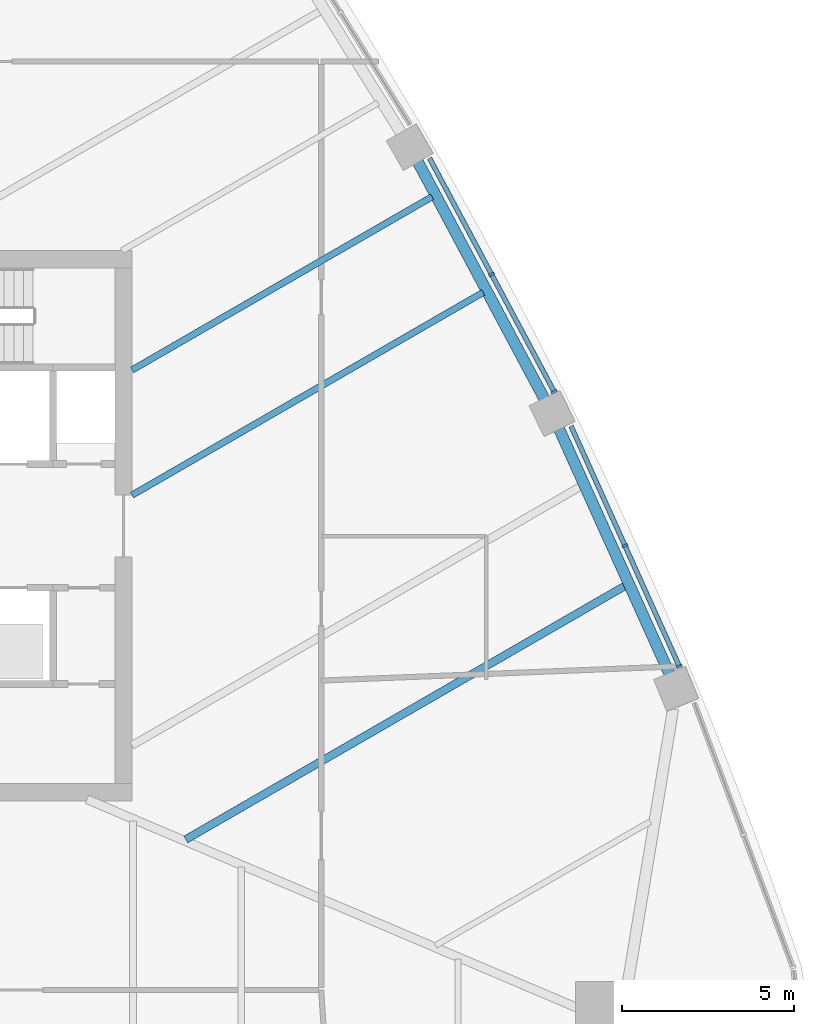
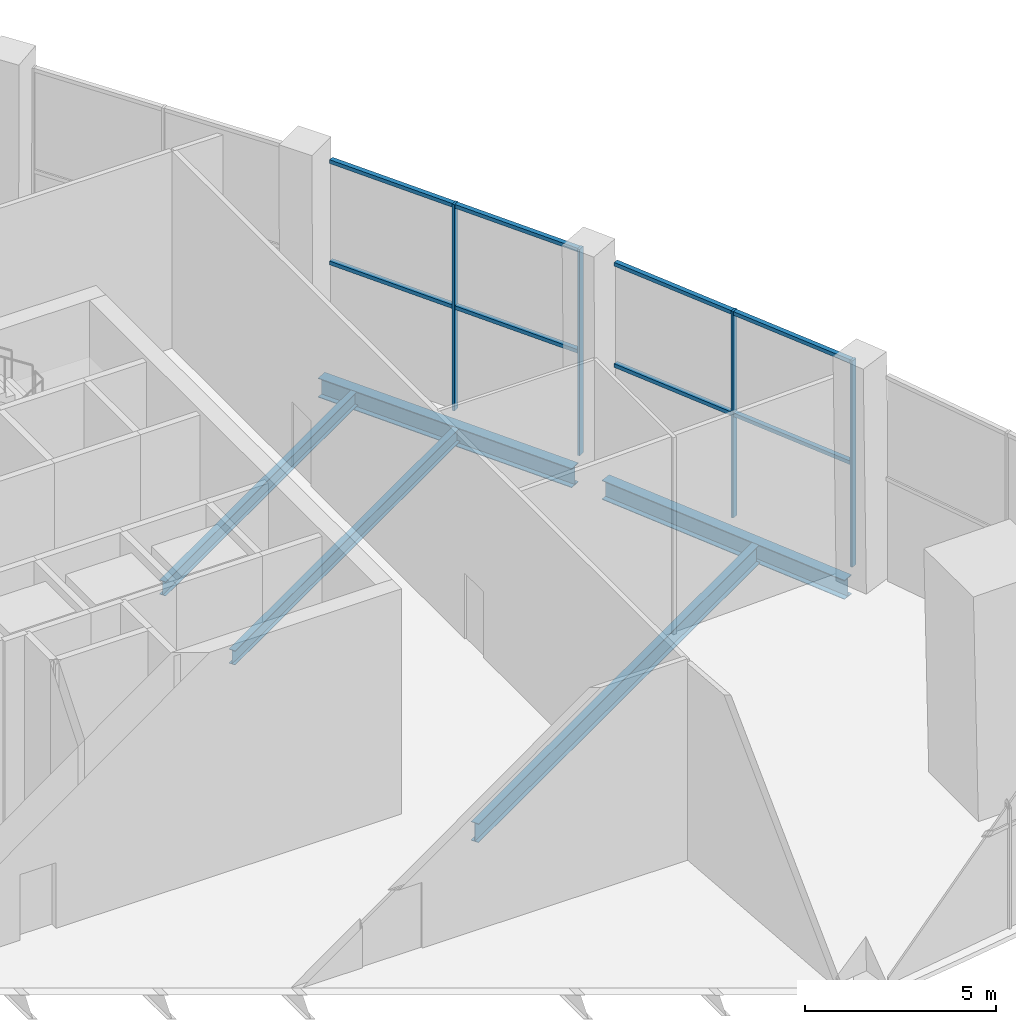
# One storey, part 5 of 15: 12 members, 5 beams, 2 elements without a shape of their own.
"""IFC4 building model written with IfcOpenShell, lengths in metres."""

import ifcopenshell
import ifcopenshell.guid

model = None  # the IFC model being written
_history = None  # IfcOwnerHistory: only IFC2X3 demands one
_inside = {}  # id of a spatial element -> (the spatial element, [elements in it])
_under = {}  # id of a project, library or spatial element -> (it, [spatial elements below it])
_declared = {}  # id of a project -> (the project, [libraries it declares])
_typed = {}  # id of a type object -> (the type object, [elements of that type])
_made_of = {}  # id of a material, layer set ... -> (it, [elements and type objects made of it])


def new_model(schema):
    """Start an empty IFC model of exactly this schema.

    Asked for "IFC4X3", IfcOpenShell would pick the latest addendum, in which some entities
    have other attributes; the version numbers below select the first issue.
    IFC2X3 requires an IfcOwnerHistory on every rooted entity: one is made here for all.
    """
    global model, _history
    if schema == "IFC4X3":
        model = ifcopenshell.file(schema_version=(4, 3, 0, 0))
    else:
        model = ifcopenshell.file(schema=schema)
    _inside.clear()
    _under.clear()
    _declared.clear()
    _typed.clear()
    _made_of.clear()
    _history = None
    if model.schema == "IFC2X3":
        org = make("IfcOrganization", Name="unknown")
        user = make(
            "IfcPersonAndOrganization",
            ThePerson=make("IfcPerson", FamilyName="unknown"),
            TheOrganization=org,
        )
        app = make(
            "IfcApplication",
            ApplicationDeveloper=org,
            Version="unknown",
            ApplicationFullName="unknown",
            ApplicationIdentifier="unknown",
        )
        _history = make(
            "IfcOwnerHistory",
            OwningUser=user,
            OwningApplication=app,
            ChangeAction="ADDED",
            CreationDate=0,
        )
    return model


def make(cls, **values):
    """One entity of the class cls with the attributes given. An attribute that is None is left unset."""
    return model.create_entity(
        cls, **{name: value for name, value in values.items() if value is not None}
    )


def rooted(cls, **values):
    """An entity with a GlobalId (a new one), such as an element, a storey or a relation."""
    return make(cls, GlobalId=ifcopenshell.guid.new(), OwnerHistory=_history, **values)


def si_unit(unit_type, name, prefix=None):
    """IfcSIUnit, for example si_unit("LENGTHUNIT", "METRE", prefix="MILLI")."""
    return make("IfcSIUnit", UnitType=unit_type, Prefix=prefix, Name=name)


def assignment(units):
    """IfcUnitAssignment: the units of a project."""
    return None if units is None else make("IfcUnitAssignment", Units=units)


def point(xyz):
    """IfcCartesianPoint."""
    return None if xyz is None else make("IfcCartesianPoint", Coordinates=xyz)


def direction(xyz):
    """IfcDirection."""
    return None if xyz is None else make("IfcDirection", DirectionRatios=xyz)


def frame(location, z_axis=None, x_axis=None):
    """IfcAxis2Placement3D, a coordinate frame: its origin and axes. An axis left out is left unset."""
    return make(
        "IfcAxis2Placement3D",
        Location=point(location),
        Axis=direction(z_axis),
        RefDirection=direction(x_axis),
    )


def frame_2d(location, x_axis=None):
    """IfcAxis2Placement2D, a coordinate frame in the plane: its origin and x axis."""
    return make(
        "IfcAxis2Placement2D", Location=point(location), RefDirection=direction(x_axis)
    )


def origin():
    """The frame at (0, 0, 0) with its axes left unset."""
    return frame((0.0, 0.0, 0.0))


def origin_2d():
    """The frame at (0, 0) in the plane with its x axis left unset."""
    return frame_2d((0.0, 0.0))


def place(relative_to, where):
    """IfcLocalPlacement: puts the frame where relative to a parent placement (None: the world)."""
    return make(
        "IfcLocalPlacement", PlacementRelTo=relative_to, RelativePlacement=where
    )


def context(
    kind, dimensions, precision=None, world=None, true_north=None, identifier=None
):
    """IfcGeometricRepresentationContext, for example the 3D "Model" context."""
    return make(
        "IfcGeometricRepresentationContext",
        ContextIdentifier=identifier,
        ContextType=kind,
        CoordinateSpaceDimension=dimensions,
        Precision=precision,
        WorldCoordinateSystem=world,
        TrueNorth=true_north,
    )


def subcontext(parent, identifier, kind, view, scale=None):
    """IfcGeometricRepresentationSubContext, for example "Body" below "Model"."""
    return make(
        "IfcGeometricRepresentationSubContext",
        ContextIdentifier=identifier,
        ContextType=kind,
        ParentContext=parent,
        TargetScale=scale,
        TargetView=view,
    )


def project(units=None, contexts=None):
    """IfcProject with its units and contexts."""
    return rooted(
        "IfcProject",
        Name="project",
        RepresentationContexts=contexts,
        UnitsInContext=assignment(units),
    )


def spatial(cls, under=None, at=None, **own):
    """A site, building, storey or space (cls), placed at a placement, below another one or the project."""
    s = rooted(cls, ObjectPlacement=at, **own)
    if under is not None:
        _under.setdefault(under.id(), (under, []))[1].append(s)
    return s


def profile(cls, at=None, kind="AREA", **sizes):
    """A parametric profile (cls). Its sizes go by their IFC names, for example OverallWidth=200.0."""
    return make(cls, ProfileType=kind, Position=at, **sizes)


def rectangle(**sizes):
    """IfcRectangleProfileDef."""
    return profile("IfcRectangleProfileDef", **sizes)


def i_section(**sizes):
    """IfcIShapeProfileDef."""
    return profile("IfcIShapeProfileDef", **sizes)


def extrude(swept, where, along, depth):
    """IfcExtrudedAreaSolid: the profile swept, set in the frame where, extruded along a direction by depth."""
    return make(
        "IfcExtrudedAreaSolid",
        SweptArea=swept,
        Position=where,
        ExtrudedDirection=direction(along),
        Depth=depth,
    )


def shape(context_of_items, identifier, shape_type, items):
    """IfcShapeRepresentation: the items that make up one representation, for example the "Body"."""
    return make(
        "IfcShapeRepresentation",
        ContextOfItems=context_of_items,
        RepresentationIdentifier=identifier,
        RepresentationType=shape_type,
        Items=items,
    )


def material(Name=None, Category=None):
    """IfcMaterial."""
    return make("IfcMaterial", Name=Name, Category=Category)


def layer(
    of_material, thickness, ventilated=None, Name=None, Category=None, Priority=None
):
    """IfcMaterialLayer: one layer of a wall or slab, of a material (None: an air gap)."""
    return make(
        "IfcMaterialLayer",
        Material=of_material,
        LayerThickness=thickness,
        IsVentilated=ventilated,
        Name=Name,
        Category=Category,
        Priority=Priority,
    )


def layer_set(layers, Name=None):
    """IfcMaterialLayerSet."""
    return make("IfcMaterialLayerSet", MaterialLayers=layers, LayerSetName=Name)


def material_profile(
    of_material, cross_section, Name=None, Category=None, Priority=None
):
    """IfcMaterialProfile: a cross section and its material."""
    return make(
        "IfcMaterialProfile",
        Name=Name,
        Material=of_material,
        Profile=cross_section,
        Priority=Priority,
        Category=Category,
    )


def profile_set(profiles, Name=None, composite=None):
    """IfcMaterialProfileSet."""
    return make(
        "IfcMaterialProfileSet",
        Name=Name,
        MaterialProfiles=profiles,
        CompositeProfile=composite,
    )


def made_of(thing, what):
    """Note that an element or type object is made of a material, layer set ...; save() writes the relation."""
    if what is not None:
        _made_of.setdefault(what.id(), (what, []))[1].append(thing)
    return thing


def type_object(cls, material=None, **own):
    """A type object (cls), such as IfcWallType, which elements share."""
    return made_of(rooted(cls, **own), material)


def element(
    cls,
    number,
    at=None,
    inside=None,
    cuts=None,
    type_object=None,
    material=None,
    context=None,
    identifier="Body",
    shape_type=None,
    held_by="IfcProductDefinitionShape",
    body=None,
    shapes=None,
    **own,
):
    """One element of the class cls, such as IfcWall. Its Tag is "e" and its number.

    at: its placement. inside: the storey or other place that contains it. cuts: it is an
    opening in that element (IfcRelVoidsElement). A single representation is given by context,
    identifier, shape_type and body (its items); several are given by shapes. held_by: the class
    of the entity that holds the representations. save() writes the other relations.
    """
    e = rooted(cls, Tag="e%d" % number, ObjectPlacement=at, **own)
    if body is not None:
        shapes = [shape(context, identifier, shape_type, body)]
    if shapes is not None:
        e.Representation = make(held_by, Representations=shapes)
    if inside is not None:
        _inside.setdefault(inside.id(), (inside, []))[1].append(e)
    if cuts is not None:
        rooted(
            "IfcRelVoidsElement", RelatingBuildingElement=cuts, RelatedOpeningElement=e
        )
    if type_object is not None:
        _typed.setdefault(type_object.id(), (type_object, []))[1].append(e)
    return made_of(e, material)


def aggregate(whole, parts):
    """IfcRelAggregates: a whole, such as a stair, and the parts it consists of."""
    return rooted("IfcRelAggregates", RelatingObject=whole, RelatedObjects=parts)


def save(model, path):
    """Write the relations noted so far, then the file.

    IfcRelAggregates (storeys below a building ...), IfcRelContainedInSpatialStructure (elements
    in a storey), IfcRelDefinesByType, IfcRelAssociatesMaterial and IfcRelDeclares: one each for
    every whole, place, type object, material and project.
    """
    for whole, parts in _under.values():
        aggregate(whole, parts)
    for where, things in _inside.values():
        rooted(
            "IfcRelContainedInSpatialStructure",
            RelatedElements=things,
            RelatingStructure=where,
        )
    for kind, things in _typed.values():
        rooted("IfcRelDefinesByType", RelatedObjects=things, RelatingType=kind)
    for what, things in _made_of.values():
        rooted("IfcRelAssociatesMaterial", RelatedObjects=things, RelatingMaterial=what)
    for by, libraries in _declared.values():
        rooted("IfcRelDeclares", RelatingContext=by, RelatedDefinitions=libraries)
    model.write(path)


model = new_model("IFC4")

# Units and contexts
model_context = context("Model", 3, precision=1e-05, world=origin(), true_north=direction((0.0, 1.0)))
body_context = subcontext(model_context, "Body", "Model", "MODEL_VIEW")
ifc_project = project(units=[si_unit("LENGTHUNIT", "METRE"), si_unit("AREAUNIT", "SQUARE_METRE"), si_unit("VOLUMEUNIT", "CUBIC_METRE"), si_unit("PLANEANGLEUNIT", "RADIAN"), si_unit("MASSUNIT", "GRAM", prefix="KILO")], contexts=[model_context])

# Site, building, storey
site_placement = place(None, origin())
site = spatial("IfcSite", under=ifc_project, at=site_placement, CompositionType="ELEMENT")
building_placement = place(site_placement, origin())
building = spatial("IfcBuilding", under=site, at=building_placement, Name="Sierra Prisma Convention Tower", CompositionType="ELEMENT")
storey_placement = place(building_placement, frame((0.0, 0.0, 118.60009765625)))
storey = spatial("IfcBuildingStorey", under=building, at=storey_placement, Name="L25", CompositionType="ELEMENT", Elevation=118.60009765625)

# Curtain wall, members
ifc_material_1 = material(Name="Aluminium and glass curtain wall", Category="aluminium")
ifc_layer = layer(ifc_material_1, 0.179931640625)
ifc_layer_set = layer_set([ifc_layer], Name="CW-4 Sky lobby double-height curtain wall")
curtain_wall_type = type_object("IfcCurtainWallType", Name="CW-4 Sky lobby double-height curtain wall", PredefinedType="NOTDEFINED", material=ifc_layer_set)
curtain_wall_1_placement = place(storey_placement, origin())
curtain_wall_1 = element("IfcCurtainWall", 1, at=curtain_wall_1_placement, inside=storey, type_object=curtain_wall_type, Name="CW-4 NE2 L25", PredefinedType="NOTDEFINED")
ifc_material_2 = material(Name="Aluminium 6063-T6 bronze anodised", Category="aluminium")
ifc_material_profile_1 = material_profile(ifc_material_2, rectangle(XDim=0.179931640625, YDim=0.070068359375, at=origin_2d()), Name="ALU MULLION 70x180")
ifc_profile_set_1 = profile_set([ifc_material_profile_1], Name="Aluminium 6063-T6 bronze anodised")
member_type_1 = type_object("IfcMemberType", Name="CW mullion bronze", PredefinedType="MULLION", material=ifc_profile_set_1)
member_1_placement = place(storey_placement, frame((26.9130859375, -4.087646484375, 0.0), z_axis=(0.0, 0.0, 1.0), x_axis=(-0.91169959512, -0.410857454913, 0.0)))
member_1 = element("IfcMember", 2, at=member_1_placement, type_object=member_type_1, Name="CW-4 mullion NE2.1", PredefinedType="MULLION", context=body_context, shape_type="SweptSolid", body=[
    extrude(rectangle(XDim=0.179931640625, YDim=0.070068359375, at=origin_2d()), origin(), (0.0, 0.0, 1.0), 6.599853515625),
])
member_2_placement = place(storey_placement, frame((25.33203125, -0.5791015625, 0.0), z_axis=(0.0, 0.0, 1.0), x_axis=(-0.91169959512, -0.410857454913, 0.0)))
member_2 = element("IfcMember", 3, at=member_2_placement, type_object=member_type_1, Name="CW-4 mullion NE2.2", PredefinedType="MULLION", context=body_context, shape_type="SweptSolid", body=[
    extrude(rectangle(XDim=0.179931640625, YDim=0.070068359375, at=origin_2d()), origin(), (0.0, 0.0, 1.0), 6.599853515625),
])

curtain_wall_2_placement = place(storey_placement, origin())
curtain_wall_2 = element("IfcCurtainWall", 4, at=curtain_wall_2_placement, inside=storey, type_object=curtain_wall_type, Name="CW-4 NE3 L25", PredefinedType="NOTDEFINED")
member_3_placement = place(storey_placement, frame((23.2734375, 3.900146484375, 0.0), z_axis=(0.0, 0.0, 1.0), x_axis=(-0.882239984457, -0.470799967953, 0.0)))
member_3 = element("IfcMember", 5, at=member_3_placement, type_object=member_type_1, Name="CW-4 mullion NE3.1", PredefinedType="MULLION", context=body_context, shape_type="SweptSolid", body=[
    extrude(rectangle(XDim=0.179931640625, YDim=0.070068359375, at=origin_2d()), origin(), (0.0, 0.0, 1.0), 6.599853515625),
])
member_4_placement = place(storey_placement, frame((21.4541015625, 7.3095703125, 0.0), z_axis=(0.0, 0.0, 1.0), x_axis=(-0.882239984457, -0.470799967953, 0.0)))
member_4 = element("IfcMember", 6, at=member_4_placement, type_object=member_type_1, Name="CW-4 mullion NE3.2", PredefinedType="MULLION", context=body_context, shape_type="SweptSolid", body=[
    extrude(rectangle(XDim=0.179931640625, YDim=0.070068359375, at=origin_2d()), origin(), (0.0, 0.0, 1.0), 6.599853515625),
])

# Member
ifc_material_3 = material(Name="Aluminium 6063-T6 bronze anodised", Category="aluminium")
ifc_material_profile_2 = material_profile(ifc_material_3, rectangle(XDim=0.139892578125, YDim=0.1201171875, at=origin_2d()), Name="ALU TRANSOM 120x140")
ifc_profile_set_2 = profile_set([ifc_material_profile_2], Name="Aluminium 6063-T6 bronze anodised")
member_type_2 = type_object("IfcMemberType", Name="CW transom bronze", PredefinedType="USERDEFINED", material=ifc_profile_set_2)
member_5_placement = place(storey_placement, frame((26.89892578125, -4.0556640625, 6.539794921875), z_axis=(-0.410899275231, 0.911680747639, 0.0), x_axis=(-0.911680747639, -0.410899275231, 0.0)))
member_5 = element("IfcMember", 7, at=member_5_placement, type_object=member_type_2, Name="CW-4 transom NE2.1", ObjectType="TRANSOM", PredefinedType="USERDEFINED", context=body_context, shape_type="SweptSolid", body=[
    extrude(rectangle(XDim=0.139892578125, YDim=0.1201171875, at=origin_2d()), origin(), (0.0, 0.0, 1.0), 3.7783203125),
])

member_6_placement = place(storey_placement, frame((26.89892578125, -4.0556640625, 3.2998046875), z_axis=(-0.410899275231, 0.911680747639, 0.0), x_axis=(-0.911680747639, -0.410899275231, 0.0)))
member_6 = element("IfcMember", 8, at=member_6_placement, type_object=member_type_2, Name="CW-4 transom NE2.1 mid", ObjectType="TRANSOM", PredefinedType="USERDEFINED", context=body_context, shape_type="SweptSolid", body=[
    extrude(rectangle(XDim=0.139892578125, YDim=0.1201171875, at=origin_2d()), origin(), (0.0, 0.0, 1.0), 3.7783203125),
])

member_7_placement = place(storey_placement, frame((25.317626953125, -0.547119140625, 6.539794921875), z_axis=(-0.410845565941, 0.911704952793, 0.0), x_axis=(-0.911704952793, -0.410845565941, 0.0)))
member_7 = element("IfcMember", 9, at=member_7_placement, type_object=member_type_2, Name="CW-4 transom NE2.2", ObjectType="TRANSOM", PredefinedType="USERDEFINED", context=body_context, shape_type="SweptSolid", body=[
    extrude(rectangle(XDim=0.139892578125, YDim=0.1201171875, at=origin_2d()), origin(), (0.0, 0.0, 1.0), 3.778076171875),
])

member_8_placement = place(storey_placement, frame((25.317626953125, -0.547119140625, 3.2998046875), z_axis=(-0.410845565941, 0.911704952793, 0.0), x_axis=(-0.911704952793, -0.410845565941, 0.0)))
member_8 = element("IfcMember", 10, at=member_8_placement, type_object=member_type_2, Name="CW-4 transom NE2.2 mid", ObjectType="TRANSOM", PredefinedType="USERDEFINED", context=body_context, shape_type="SweptSolid", body=[
    extrude(rectangle(XDim=0.139892578125, YDim=0.1201171875, at=origin_2d()), origin(), (0.0, 0.0, 1.0), 3.778076171875),
])

aggregate(curtain_wall_1, [member_1, member_2, member_5, member_6, member_7, member_8])

member_9_placement = place(storey_placement, frame((23.2568359375, 3.93115234375, 6.539794921875), z_axis=(-0.470811980274, 0.882233574078, 0.0), x_axis=(-0.882233574078, -0.470811980274, 0.0)))
member_9 = element("IfcMember", 11, at=member_9_placement, type_object=member_type_2, Name="CW-4 transom NE3.1", ObjectType="TRANSOM", PredefinedType="USERDEFINED", context=body_context, shape_type="SweptSolid", body=[
    extrude(rectangle(XDim=0.139892578125, YDim=0.1201171875, at=origin_2d()), origin(), (0.0, 0.0, 1.0), 3.794189453125),
])

member_10_placement = place(storey_placement, frame((23.2568359375, 3.93115234375, 3.2998046875), z_axis=(-0.470811980274, 0.882233574078, 0.0), x_axis=(-0.882233574078, -0.470811980274, 0.0)))
member_10 = element("IfcMember", 12, at=member_10_placement, type_object=member_type_2, Name="CW-4 transom NE3.1 mid", ObjectType="TRANSOM", PredefinedType="USERDEFINED", context=body_context, shape_type="SweptSolid", body=[
    extrude(rectangle(XDim=0.139892578125, YDim=0.1201171875, at=origin_2d()), origin(), (0.0, 0.0, 1.0), 3.794189453125),
])

member_11_placement = place(storey_placement, frame((21.4375, 7.34033203125, 6.539794921875), z_axis=(-0.470811980274, 0.882233574078, 0.0), x_axis=(-0.882233574078, -0.470811980274, 0.0)))
member_11 = element("IfcMember", 13, at=member_11_placement, type_object=member_type_2, Name="CW-4 transom NE3.2", ObjectType="TRANSOM", PredefinedType="USERDEFINED", context=body_context, shape_type="SweptSolid", body=[
    extrude(rectangle(XDim=0.139892578125, YDim=0.1201171875, at=origin_2d()), origin(), (0.0, 0.0, 1.0), 3.794189453125),
])

member_12_placement = place(storey_placement, frame((21.4375, 7.34033203125, 3.2998046875), z_axis=(-0.470811980274, 0.882233574078, 0.0), x_axis=(-0.882233574078, -0.470811980274, 0.0)))
member_12 = element("IfcMember", 14, at=member_12_placement, type_object=member_type_2, Name="CW-4 transom NE3.2 mid", ObjectType="TRANSOM", PredefinedType="USERDEFINED", context=body_context, shape_type="SweptSolid", body=[
    extrude(rectangle(XDim=0.139892578125, YDim=0.1201171875, at=origin_2d()), origin(), (0.0, 0.0, 1.0), 3.794189453125),
])

aggregate(curtain_wall_2, [member_3, member_4, member_9, member_10, member_11, member_12])

# Beams
ifc_material_4 = material(Name="Steel ASTM A992 Gr 50", Category="steel")
ifc_material_profile_3 = material_profile(ifc_material_4, i_section(OverallWidth=0.18994140625, OverallDepth=0.45703125, WebThickness=0.009033203125, FlangeThickness=0.014404296875, at=origin_2d()), Name="W460x74")
ifc_profile_set_3 = profile_set([ifc_material_profile_3], Name="Steel ASTM A992 Gr 50")
beam_type_1 = type_object("IfcBeamType", Name="Floor joist W460x74", PredefinedType="JOIST", material=ifc_profile_set_3)
beam_1_placement = place(storey_placement, frame((21.208740234375, 6.787109375, -0.378662109375), z_axis=(-0.866024520484, -0.500001529918, 0.0), x_axis=(0.500001529918, -0.866024520484, 0.0)))
element("IfcBeam", 15, at=beam_1_placement, inside=storey, type_object=beam_type_1, Name="Floor joist L25 NE07", PredefinedType="JOIST", context=body_context, shape_type="SweptSolid", body=[
    extrude(i_section(OverallWidth=0.18994140625, OverallDepth=0.45703125, WebThickness=0.009033203125, FlangeThickness=0.014404296875, at=origin_2d()), origin(), (0.0, 0.0, 1.0), 11.7880859375),
])
beam_2_placement = place(storey_placement, frame((19.724365234375, 9.568603515625, -0.378662109375), z_axis=(-0.866021330767, -0.500007054607, 0.0), x_axis=(0.500007054607, -0.866021330767, 0.0)))
element("IfcBeam", 16, at=beam_2_placement, inside=storey, type_object=beam_type_1, Name="Floor joist L25 NE08", PredefinedType="JOIST", context=body_context, shape_type="SweptSolid", body=[
    extrude(i_section(OverallWidth=0.18994140625, OverallDepth=0.45703125, WebThickness=0.009033203125, FlangeThickness=0.014404296875, at=origin_2d()), origin(), (0.0, 0.0, 1.0), 10.073974609375),
])
ifc_material_5 = material(Name="Steel ASTM A992 Gr 50", Category="steel")
ifc_material_profile_4 = material_profile(ifc_material_5, i_section(OverallWidth=0.22802734375, OverallDepth=0.60302734375, WebThickness=0.010498046875, FlangeThickness=0.014892578125, at=origin_2d()), Name="W610x101")
ifc_profile_set_4 = profile_set([ifc_material_profile_4], Name="Steel ASTM A992 Gr 50")
beam_type_2 = type_object("IfcBeamType", Name="Floor joist W610x101", PredefinedType="JOIST", material=ifc_profile_set_4)
beam_3_placement = place(storey_placement, frame((25.347412109375, -1.739013671875, -0.45166015625), z_axis=(-0.866025023135, -0.500000659304, 0.0), x_axis=(0.500000659304, -0.866025023135, 0.0)))
element("IfcBeam", 17, at=beam_3_placement, inside=storey, type_object=beam_type_2, Name="Floor joist L25 NE04", PredefinedType="JOIST", context=body_context, shape_type="SweptSolid", body=[
    extrude(i_section(OverallWidth=0.22802734375, OverallDepth=0.60302734375, WebThickness=0.010498046875, FlangeThickness=0.014892578125, at=origin_2d()), origin(), (0.0, 0.0, 1.0), 14.76220703125),
])
ifc_material_6 = material(Name="Steel ASTM A992 Gr 50", Category="steel")
ifc_material_profile_5 = material_profile(ifc_material_6, i_section(OverallWidth=0.324951171875, OverallDepth=0.615966796875, WebThickness=0.013916015625, FlangeThickness=0.021484375, at=origin_2d()), Name="W610x174")
ifc_profile_set_5 = profile_set([ifc_material_profile_5], Name="Steel ASTM A992 Gr 50")
beam_type_3 = type_object("IfcBeamType", Name="Spandrel beam W610x174", PredefinedType="BEAM", material=ifc_profile_set_5)
for number, where, z_axis, x_axis, name in (
    (18, (26.63037109375, -4.311279296875, -0.4580078125), (-0.410856161502, 0.911700177995, 0.0), (-0.911700177995, -0.410856161502, 0.0), "Spandrel L25-08"),
    (19, (22.990966796875, 3.6865234375, -0.4580078125), (-0.470798680984, 0.882240671236, 0.0), (-0.882240671236, -0.470798680984, 0.0), "Spandrel L25-09"),
):
    element("IfcBeam", number, at=place(storey_placement, frame(where, z_axis=z_axis, x_axis=x_axis)), inside=storey, type_object=beam_type_3, Name=name, PredefinedType="BEAM", context=body_context, shape_type="SweptSolid", body=[
        extrude(i_section(OverallWidth=0.324951171875, OverallDepth=0.615966796875, WebThickness=0.013916015625, FlangeThickness=0.021484375, at=origin_2d()), origin(), (0.0, 0.0, 1.0), 7.8271484375),
    ])

save(model, "model.ifc")
